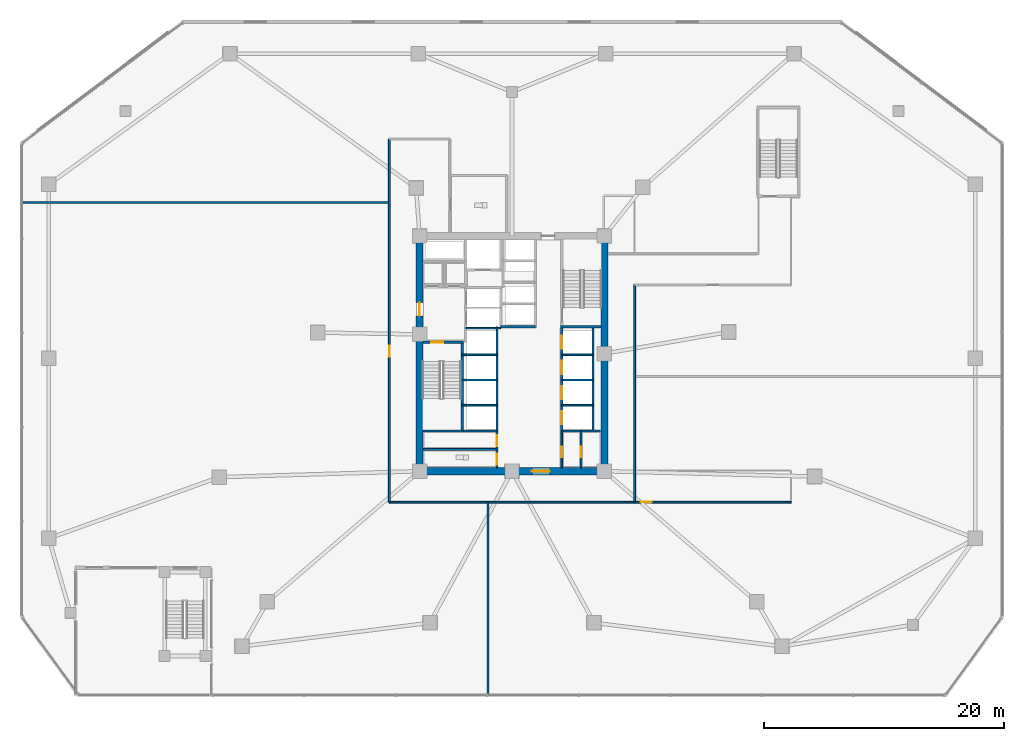
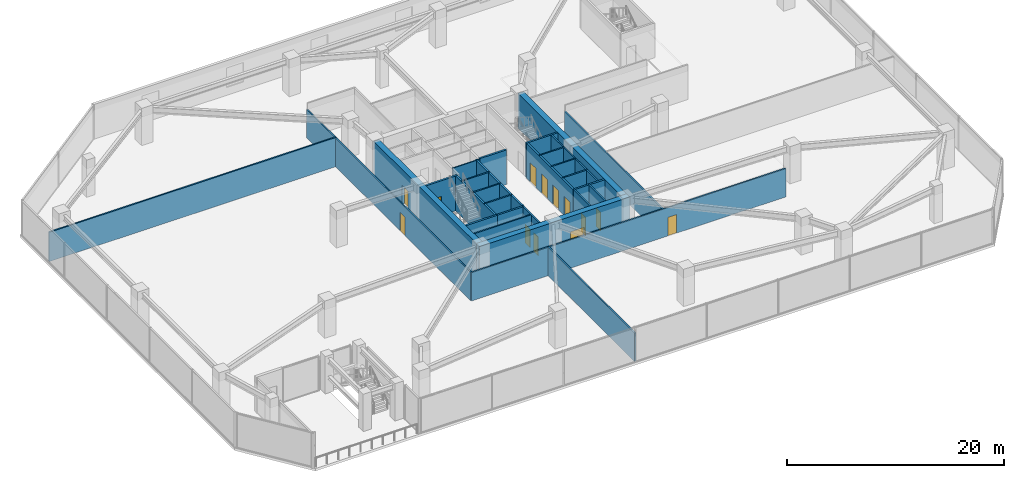
# One storey, part 11 of 21: 29 walls, 13 doors, 13 openings.
"""IFC4 building model written with IfcOpenShell, lengths in metres."""

import ifcopenshell
import ifcopenshell.guid

model = None  # the IFC model being written
_history = None  # IfcOwnerHistory: only IFC2X3 demands one
_inside = {}  # id of a spatial element -> (the spatial element, [elements in it])
_under = {}  # id of a project, library or spatial element -> (it, [spatial elements below it])
_declared = {}  # id of a project -> (the project, [libraries it declares])
_typed = {}  # id of a type object -> (the type object, [elements of that type])
_made_of = {}  # id of a material, layer set ... -> (it, [elements and type objects made of it])


def new_model(schema):
    """Start an empty IFC model of exactly this schema.

    Asked for "IFC4X3", IfcOpenShell would pick the latest addendum, in which some entities
    have other attributes; the version numbers below select the first issue.
    IFC2X3 requires an IfcOwnerHistory on every rooted entity: one is made here for all.
    """
    global model, _history
    if schema == "IFC4X3":
        model = ifcopenshell.file(schema_version=(4, 3, 0, 0))
    else:
        model = ifcopenshell.file(schema=schema)
    _inside.clear()
    _under.clear()
    _declared.clear()
    _typed.clear()
    _made_of.clear()
    _history = None
    if model.schema == "IFC2X3":
        org = make("IfcOrganization", Name="unknown")
        user = make(
            "IfcPersonAndOrganization",
            ThePerson=make("IfcPerson", FamilyName="unknown"),
            TheOrganization=org,
        )
        app = make(
            "IfcApplication",
            ApplicationDeveloper=org,
            Version="unknown",
            ApplicationFullName="unknown",
            ApplicationIdentifier="unknown",
        )
        _history = make(
            "IfcOwnerHistory",
            OwningUser=user,
            OwningApplication=app,
            ChangeAction="ADDED",
            CreationDate=0,
        )
    return model


def make(cls, **values):
    """One entity of the class cls with the attributes given. An attribute that is None is left unset."""
    return model.create_entity(
        cls, **{name: value for name, value in values.items() if value is not None}
    )


def rooted(cls, **values):
    """An entity with a GlobalId (a new one), such as an element, a storey or a relation."""
    return make(cls, GlobalId=ifcopenshell.guid.new(), OwnerHistory=_history, **values)


def si_unit(unit_type, name, prefix=None):
    """IfcSIUnit, for example si_unit("LENGTHUNIT", "METRE", prefix="MILLI")."""
    return make("IfcSIUnit", UnitType=unit_type, Prefix=prefix, Name=name)


def assignment(units):
    """IfcUnitAssignment: the units of a project."""
    return None if units is None else make("IfcUnitAssignment", Units=units)


def point(xyz):
    """IfcCartesianPoint."""
    return None if xyz is None else make("IfcCartesianPoint", Coordinates=xyz)


def direction(xyz):
    """IfcDirection."""
    return None if xyz is None else make("IfcDirection", DirectionRatios=xyz)


def frame(location, z_axis=None, x_axis=None):
    """IfcAxis2Placement3D, a coordinate frame: its origin and axes. An axis left out is left unset."""
    return make(
        "IfcAxis2Placement3D",
        Location=point(location),
        Axis=direction(z_axis),
        RefDirection=direction(x_axis),
    )


def frame_2d(location, x_axis=None):
    """IfcAxis2Placement2D, a coordinate frame in the plane: its origin and x axis."""
    return make(
        "IfcAxis2Placement2D", Location=point(location), RefDirection=direction(x_axis)
    )


def origin():
    """The frame at (0, 0, 0) with its axes left unset."""
    return frame((0.0, 0.0, 0.0))


def place(relative_to, where):
    """IfcLocalPlacement: puts the frame where relative to a parent placement (None: the world)."""
    return make(
        "IfcLocalPlacement", PlacementRelTo=relative_to, RelativePlacement=where
    )


def context(
    kind, dimensions, precision=None, world=None, true_north=None, identifier=None
):
    """IfcGeometricRepresentationContext, for example the 3D "Model" context."""
    return make(
        "IfcGeometricRepresentationContext",
        ContextIdentifier=identifier,
        ContextType=kind,
        CoordinateSpaceDimension=dimensions,
        Precision=precision,
        WorldCoordinateSystem=world,
        TrueNorth=true_north,
    )


def subcontext(parent, identifier, kind, view, scale=None):
    """IfcGeometricRepresentationSubContext, for example "Body" below "Model"."""
    return make(
        "IfcGeometricRepresentationSubContext",
        ContextIdentifier=identifier,
        ContextType=kind,
        ParentContext=parent,
        TargetScale=scale,
        TargetView=view,
    )


def project(units=None, contexts=None):
    """IfcProject with its units and contexts."""
    return rooted(
        "IfcProject",
        Name="project",
        RepresentationContexts=contexts,
        UnitsInContext=assignment(units),
    )


def spatial(cls, under=None, at=None, **own):
    """A site, building, storey or space (cls), placed at a placement, below another one or the project."""
    s = rooted(cls, ObjectPlacement=at, **own)
    if under is not None:
        _under.setdefault(under.id(), (under, []))[1].append(s)
    return s


def profile(cls, at=None, kind="AREA", **sizes):
    """A parametric profile (cls). Its sizes go by their IFC names, for example OverallWidth=200.0."""
    return make(cls, ProfileType=kind, Position=at, **sizes)


def rectangle(**sizes):
    """IfcRectangleProfileDef."""
    return profile("IfcRectangleProfileDef", **sizes)


def extrude(swept, where, along, depth):
    """IfcExtrudedAreaSolid: the profile swept, set in the frame where, extruded along a direction by depth."""
    return make(
        "IfcExtrudedAreaSolid",
        SweptArea=swept,
        Position=where,
        ExtrudedDirection=direction(along),
        Depth=depth,
    )


def shape(context_of_items, identifier, shape_type, items):
    """IfcShapeRepresentation: the items that make up one representation, for example the "Body"."""
    return make(
        "IfcShapeRepresentation",
        ContextOfItems=context_of_items,
        RepresentationIdentifier=identifier,
        RepresentationType=shape_type,
        Items=items,
    )


def material(Name=None, Category=None):
    """IfcMaterial."""
    return make("IfcMaterial", Name=Name, Category=Category)


def layer(
    of_material, thickness, ventilated=None, Name=None, Category=None, Priority=None
):
    """IfcMaterialLayer: one layer of a wall or slab, of a material (None: an air gap)."""
    return make(
        "IfcMaterialLayer",
        Material=of_material,
        LayerThickness=thickness,
        IsVentilated=ventilated,
        Name=Name,
        Category=Category,
        Priority=Priority,
    )


def layer_set(layers, Name=None):
    """IfcMaterialLayerSet."""
    return make("IfcMaterialLayerSet", MaterialLayers=layers, LayerSetName=Name)


def made_of(thing, what):
    """Note that an element or type object is made of a material, layer set ...; save() writes the relation."""
    if what is not None:
        _made_of.setdefault(what.id(), (what, []))[1].append(thing)
    return thing


def type_object(cls, material=None, **own):
    """A type object (cls), such as IfcWallType, which elements share."""
    return made_of(rooted(cls, **own), material)


def element(
    cls,
    number,
    at=None,
    inside=None,
    cuts=None,
    type_object=None,
    material=None,
    context=None,
    identifier="Body",
    shape_type=None,
    held_by="IfcProductDefinitionShape",
    body=None,
    shapes=None,
    **own,
):
    """One element of the class cls, such as IfcWall. Its Tag is "e" and its number.

    at: its placement. inside: the storey or other place that contains it. cuts: it is an
    opening in that element (IfcRelVoidsElement). A single representation is given by context,
    identifier, shape_type and body (its items); several are given by shapes. held_by: the class
    of the entity that holds the representations. save() writes the other relations.
    """
    e = rooted(cls, Tag="e%d" % number, ObjectPlacement=at, **own)
    if body is not None:
        shapes = [shape(context, identifier, shape_type, body)]
    if shapes is not None:
        e.Representation = make(held_by, Representations=shapes)
    if inside is not None:
        _inside.setdefault(inside.id(), (inside, []))[1].append(e)
    if cuts is not None:
        rooted(
            "IfcRelVoidsElement", RelatingBuildingElement=cuts, RelatedOpeningElement=e
        )
    if type_object is not None:
        _typed.setdefault(type_object.id(), (type_object, []))[1].append(e)
    return made_of(e, material)


def fill(opening, filler):
    """IfcRelFillsElement: the door or window that sits in an opening."""
    return rooted(
        "IfcRelFillsElement",
        RelatingOpeningElement=opening,
        RelatedBuildingElement=filler,
    )


def aggregate(whole, parts):
    """IfcRelAggregates: a whole, such as a stair, and the parts it consists of."""
    return rooted("IfcRelAggregates", RelatingObject=whole, RelatedObjects=parts)


def save(model, path):
    """Write the relations noted so far, then the file.

    IfcRelAggregates (storeys below a building ...), IfcRelContainedInSpatialStructure (elements
    in a storey), IfcRelDefinesByType, IfcRelAssociatesMaterial and IfcRelDeclares: one each for
    every whole, place, type object, material and project.
    """
    for whole, parts in _under.values():
        aggregate(whole, parts)
    for where, things in _inside.values():
        rooted(
            "IfcRelContainedInSpatialStructure",
            RelatedElements=things,
            RelatingStructure=where,
        )
    for kind, things in _typed.values():
        rooted("IfcRelDefinesByType", RelatedObjects=things, RelatingType=kind)
    for what, things in _made_of.values():
        rooted("IfcRelAssociatesMaterial", RelatedObjects=things, RelatingMaterial=what)
    for by, libraries in _declared.values():
        rooted("IfcRelDeclares", RelatingContext=by, RelatedDefinitions=libraries)
    model.write(path)


model = new_model("IFC4")

# Units and contexts
model_context = context("Model", 3, precision=1e-05, world=origin(), true_north=direction((0.0, 1.0)))
body_context = subcontext(model_context, "Body", "Model", "MODEL_VIEW")
ifc_project = project(units=[si_unit("LENGTHUNIT", "METRE"), si_unit("AREAUNIT", "SQUARE_METRE"), si_unit("VOLUMEUNIT", "CUBIC_METRE"), si_unit("PLANEANGLEUNIT", "RADIAN"), si_unit("MASSUNIT", "GRAM", prefix="KILO")], contexts=[model_context])

# Site, building, storey
site_placement = place(None, origin())
site = spatial("IfcSite", under=ifc_project, at=site_placement, CompositionType="ELEMENT")
building_placement = place(site_placement, origin())
building = spatial("IfcBuilding", under=site, at=building_placement, Name="Savorim Split Tower", CompositionType="ELEMENT")
storey_placement = place(building_placement, frame((0.0, 0.0, 5.0)))
storey = spatial("IfcBuildingStorey", under=building, at=storey_placement, Name="L01", CompositionType="ELEMENT", Elevation=5.0)

# Wall, opening, door
ifc_material_1 = material(Name="Concrete C60/75", Category="concrete")
ifc_layer_1 = layer(ifc_material_1, 0.60009765625)
ifc_layer_set_1 = layer_set([ifc_layer_1], Name="WAL-COR-SH600")
wall_type_1 = type_object("IfcWallType", Name="WAL-COR-SH600", PredefinedType="SHEAR", material=ifc_layer_set_1)
wall_1_placement = place(storey_placement, frame((-8.0, -9.39990234375, 0.0), z_axis=(0.0, 0.0, 1.0), x_axis=(1.0, 0.0, 0.0)))
wall_1 = element("IfcWall", 1, at=wall_1_placement, inside=storey, type_object=wall_type_1, Name="L01 Offset Core South Shear Wall", PredefinedType="SHEAR", context=body_context, shape_type="SweptSolid", body=[
    extrude(rectangle(XDim=16.0, YDim=0.60009765625, at=frame_2d((8.0, 0.0))), origin(), (0.0, 0.0, 1.0), 3.919921875),
])
opening_1_placement = place(wall_1_placement, frame((9.64990234375, 0.0, 0.0)))
opening_1 = element("IfcOpeningElement", 2, at=opening_1_placement, cuts=wall_1, Name="Opening DI-02", PredefinedType="OPENING", context=body_context, shape_type="SweptSolid", body=[
    extrude(rectangle(XDim=1.5, YDim=2.199951171875, at=frame_2d((0.75, 1.10009765625))), frame((0.0, 0.31005859375, 0.0), z_axis=(0.0, -1.0, 0.0), x_axis=(1.0, 0.0, 0.0)), (0.0, 0.0, 1.0), 0.6201171875),
])
ifc_material_2 = material(Name="Timber Fire Door Leaf", Category="wood")
door_type_1 = type_object("IfcDoorType", Name="DOR-DBL-1500", OperationType="NOTDEFINED", PredefinedType="DOOR", material=ifc_material_2)
door_1_placement = place(opening_1_placement, origin())
door_1 = element("IfcDoor", 3, at=door_1_placement, inside=storey, type_object=door_type_1, Name="DOR-L01-COR-LLOB - L01 Lift Lobby Main Rated Door", OperationType="DOUBLE_DOOR_SINGLE_SWING", OverallHeight=2.199951171875, OverallWidth=1.5, PredefinedType="DOOR", context=body_context, shape_type="SweptSolid", body=[
    extrude(rectangle(XDim=1.5, YDim=2.199951171875, at=frame_2d((0.75, 1.10009765625))), frame((0.0, 0.02490234375, 0.0), z_axis=(0.0, -1.0, 0.0), x_axis=(1.0, 0.0, 0.0)), (0.0, 0.0, 1.0), 0.050048828125),
])
fill(opening_1, door_1)

wall_2_placement = place(storey_placement, frame((-7.699951171875, -9.10009765625, 0.0), z_axis=(0.0, 0.0, 1.0), x_axis=(0.0, 1.0, 0.0)))
wall_2 = element("IfcWall", 4, at=wall_2_placement, inside=storey, type_object=wall_type_1, Name="L01 Offset Core West Shear Wall", PredefinedType="SHEAR", context=body_context, shape_type="SweptSolid", body=[
    extrude(rectangle(XDim=19.0, YDim=0.60009765625, at=frame_2d((9.5, 0.0))), origin(), (0.0, 0.0, 1.0), 3.919921875),
])
opening_2_placement = place(wall_2_placement, frame((12.64990234375, 0.0, 0.0)))
opening_2 = element("IfcOpeningElement", 5, at=opening_2_placement, cuts=wall_2, Name="Opening DI-03", PredefinedType="OPENING", context=body_context, shape_type="SweptSolid", body=[
    extrude(rectangle(XDim=1.10009765625, YDim=2.14990234375, at=frame_2d((0.550048828125, 1.074951171875))), frame((0.0, 0.31005859375, 0.0), z_axis=(0.0, -1.0, 0.0), x_axis=(1.0, 0.0, 0.0)), (0.0, 0.0, 1.0), 0.6201171875),
])
door_type_2 = type_object("IfcDoorType", Name="DOR-FIR-1100", OperationType="NOTDEFINED", PredefinedType="DOOR", material=ifc_material_2)
door_2_placement = place(opening_2_placement, origin())
door_2 = element("IfcDoor", 6, at=door_2_placement, inside=storey, type_object=door_type_2, Name="DOR-L01-COR-FFLOB - L01 Firefighting Lobby Corridor Door", OperationType="SINGLE_SWING_LEFT", OverallHeight=2.14990234375, OverallWidth=1.10009765625, PredefinedType="DOOR", context=body_context, shape_type="SweptSolid", body=[
    extrude(rectangle(XDim=1.10009765625, YDim=2.14990234375, at=frame_2d((0.550048828125, 1.074951171875))), frame((0.0, 0.02490234375, 0.0), z_axis=(0.0, -1.0, 0.0), x_axis=(1.0, 0.0, 0.0)), (0.0, 0.0, 1.0), 0.050048828125),
])
fill(opening_2, door_2)

# Wall
wall_3_placement = place(storey_placement, frame((7.699951171875, 9.89990234375, 0.0), z_axis=(0.0, 0.0, 1.0), x_axis=(0.0, -1.0, 0.0)))
element("IfcWall", 7, at=wall_3_placement, inside=storey, type_object=wall_type_1, Name="L01 Offset Core East Shear Wall", PredefinedType="SHEAR", context=body_context, shape_type="SweptSolid", body=[
    extrude(rectangle(XDim=19.0, YDim=0.60009765625, at=frame_2d((9.5, 0.0))), origin(), (0.0, 0.0, 1.0), 3.919921875),
])

# Wall, opening, door
ifc_material_3 = material(Name="Concrete C50/60", Category="concrete")
ifc_layer_2 = layer(ifc_material_3, 0.199951171875)
ifc_layer_set_2 = layer_set([ifc_layer_2], Name="WAL-INT-RC200")
wall_type_2 = type_object("IfcWallType", Name="WAL-INT-RC200", PredefinedType="SOLIDWALL", material=ifc_layer_set_2)
wall_4_placement = place(storey_placement, frame((-7.39990234375, 1.35009765625, 0.0), z_axis=(0.0, 0.0, 1.0), x_axis=(1.0, 0.0, 0.0)))
wall_4 = element("IfcWall", 8, at=wall_4_placement, inside=storey, type_object=wall_type_2, Name="L01 Structural Shaft Wall W-L01-CR01", PredefinedType="SOLIDWALL", context=body_context, shape_type="SweptSolid", body=[
    extrude(rectangle(XDim=3.349853515625, YDim=0.199951171875, at=frame_2d((1.6748046875, 0.0))), origin(), (0.0, 0.0, 1.0), 3.919921875),
])
opening_3_placement = place(wall_4_placement, frame((0.64990234375, 0.0, 0.0)))
opening_3 = element("IfcOpeningElement", 9, at=opening_3_placement, cuts=wall_4, Name="Opening DI-04", PredefinedType="OPENING", context=body_context, shape_type="SweptSolid", body=[
    extrude(rectangle(XDim=1.0, YDim=2.14990234375, at=frame_2d((0.5, 1.074951171875))), frame((0.0, 0.10986328125, 0.0), z_axis=(0.0, -1.0, 0.0), x_axis=(1.0, 0.0, 0.0)), (0.0, 0.0, 1.0), 0.219970703125),
])
door_type_3 = type_object("IfcDoorType", Name="DOR-FIR-1000", OperationType="NOTDEFINED", PredefinedType="DOOR", material=ifc_material_2)
door_3_placement = place(opening_3_placement, origin())
door_3 = element("IfcDoor", 10, at=door_3_placement, inside=storey, type_object=door_type_3, Name="DR-L01-ST1 - L01 Stair ST-1 Enclosure Door", OperationType="SINGLE_SWING_LEFT", OverallHeight=2.14990234375, OverallWidth=1.0, PredefinedType="DOOR", context=body_context, shape_type="SweptSolid", body=[
    extrude(rectangle(XDim=1.0, YDim=2.14990234375, at=frame_2d((0.5, 1.074951171875))), frame((0.0, 0.02490234375, 0.0), z_axis=(0.0, -1.0, 0.0), x_axis=(1.0, 0.0, 0.0)), (0.0, 0.0, 1.0), 0.050048828125),
])
fill(opening_3, door_3)

# Walls
wall_5_placement = place(storey_placement, frame((-4.14990234375, -5.949951171875, 0.0), z_axis=(0.0, 0.0, 1.0), x_axis=(0.0, 1.0, 0.0)))
element("IfcWall", 11, at=wall_5_placement, inside=storey, type_object=wall_type_2, Name="L01 Structural Shaft Wall W-L01-CR02", PredefinedType="SOLIDWALL", context=body_context, shape_type="SweptSolid", body=[
    extrude(rectangle(XDim=7.199951171875, YDim=0.199951171875, at=frame_2d((3.60009765625, 0.0))), origin(), (0.0, 0.0, 1.0), 3.919921875),
])
wall_6_placement = place(storey_placement, frame((4.050048828125, 2.64990234375, 0.0), z_axis=(0.0, 0.0, 1.0), x_axis=(1.0, 0.0, 0.0)))
element("IfcWall", 12, at=wall_6_placement, inside=storey, type_object=wall_type_2, Name="L01 Structural Shaft Wall W-L01-CR08", PredefinedType="SOLIDWALL", context=body_context, shape_type="SweptSolid", body=[
    extrude(rectangle(XDim=3.349853515625, YDim=0.199951171875, at=frame_2d((1.6748046875, 0.0))), origin(), (0.0, 0.0, 1.0), 3.919921875),
])

# Wall, openings, doors
wall_7_placement = place(storey_placement, frame((4.14990234375, -6.050048828125, 0.0), z_axis=(0.0, 0.0, 1.0), x_axis=(0.0, 1.0, 0.0)))
wall_7 = element("IfcWall", 13, at=wall_7_placement, inside=storey, type_object=wall_type_2, Name="L01 Partition W-L01-B1FRONT", PredefinedType="SOLIDWALL", context=body_context, shape_type="SweptSolid", body=[
    extrude(rectangle(XDim=8.699951171875, YDim=0.199951171875, at=frame_2d((4.35009765625, 0.0))), origin(), (0.0, 0.0, 1.0), 3.919921875),
])
opening_4_placement = place(wall_7_placement, frame((0.550048828125, 0.0, 0.0)))
opening_4 = element("IfcOpeningElement", 14, at=opening_4_placement, cuts=wall_7, Name="Opening LD-01", PredefinedType="OPENING", context=body_context, shape_type="SweptSolid", body=[
    extrude(rectangle(XDim=1.10009765625, YDim=2.14990234375, at=frame_2d((0.550048828125, 1.074951171875))), frame((0.0, 0.10986328125, 0.0), z_axis=(0.0, -1.0, 0.0), x_axis=(1.0, 0.0, 0.0)), (0.0, 0.0, 1.0), 0.219970703125),
])
opening_5_placement = place(wall_7_placement, frame((2.64990234375, 0.0, 0.0)))
opening_5 = element("IfcOpeningElement", 15, at=opening_5_placement, cuts=wall_7, Name="Opening LD-01", PredefinedType="OPENING", context=body_context, shape_type="SweptSolid", body=[
    extrude(rectangle(XDim=1.10009765625, YDim=2.14990234375, at=frame_2d((0.550048828125, 1.074951171875))), frame((0.0, 0.10986328125, 0.0), z_axis=(0.0, -1.0, 0.0), x_axis=(1.0, 0.0, 0.0)), (0.0, 0.0, 1.0), 0.219970703125),
])
opening_6_placement = place(wall_7_placement, frame((4.75, 0.0, 0.0)))
opening_6 = element("IfcOpeningElement", 16, at=opening_6_placement, cuts=wall_7, Name="Opening LD-01", PredefinedType="OPENING", context=body_context, shape_type="SweptSolid", body=[
    extrude(rectangle(XDim=1.10009765625, YDim=2.14990234375, at=frame_2d((0.550048828125, 1.074951171875))), frame((0.0, 0.10986328125, 0.0), z_axis=(0.0, -1.0, 0.0), x_axis=(1.0, 0.0, 0.0)), (0.0, 0.0, 1.0), 0.219970703125),
])
opening_7_placement = place(wall_7_placement, frame((6.85009765625, 0.0, 0.0)))
opening_7 = element("IfcOpeningElement", 17, at=opening_7_placement, cuts=wall_7, Name="Opening LD-01", PredefinedType="OPENING", context=body_context, shape_type="SweptSolid", body=[
    extrude(rectangle(XDim=1.10009765625, YDim=2.14990234375, at=frame_2d((0.550048828125, 1.074951171875))), frame((0.0, 0.10986328125, 0.0), z_axis=(0.0, -1.0, 0.0), x_axis=(1.0, 0.0, 0.0)), (0.0, 0.0, 1.0), 0.219970703125),
])
ifc_material_4 = material(Name="Charcoal Anodised Aluminium", Category="aluminium")
door_type_4 = type_object("IfcDoorType", Name="DOR-SLD-LD1100", OperationType="NOTDEFINED", PredefinedType="DOOR", material=ifc_material_4)
door_4_placement = place(opening_4_placement, origin())
door_4 = element("IfcDoor", 18, at=door_4_placement, inside=storey, type_object=door_type_4, Name="DR-L01-LD-PLL1 - L01 Lift PL-L1 Sliding Landing Door", OperationType="DOUBLE_DOOR_SLIDING", OverallHeight=2.14990234375, OverallWidth=1.10009765625, PredefinedType="DOOR", context=body_context, shape_type="SweptSolid", body=[
    extrude(rectangle(XDim=1.10009765625, YDim=2.14990234375, at=frame_2d((0.550048828125, 1.074951171875))), frame((0.0, 0.02490234375, 0.0), z_axis=(0.0, -1.0, 0.0), x_axis=(1.0, 0.0, 0.0)), (0.0, 0.0, 1.0), 0.050048828125),
])
fill(opening_4, door_4)
door_5_placement = place(opening_5_placement, origin())
door_5 = element("IfcDoor", 19, at=door_5_placement, inside=storey, type_object=door_type_4, Name="DR-L01-LD-PLL2 - L01 Lift PL-L2 Sliding Landing Door", OperationType="DOUBLE_DOOR_SLIDING", OverallHeight=2.14990234375, OverallWidth=1.10009765625, PredefinedType="DOOR", context=body_context, shape_type="SweptSolid", body=[
    extrude(rectangle(XDim=1.10009765625, YDim=2.14990234375, at=frame_2d((0.550048828125, 1.074951171875))), frame((0.0, 0.02490234375, 0.0), z_axis=(0.0, -1.0, 0.0), x_axis=(1.0, 0.0, 0.0)), (0.0, 0.0, 1.0), 0.050048828125),
])
fill(opening_5, door_5)
door_6_placement = place(opening_6_placement, origin())
door_6 = element("IfcDoor", 20, at=door_6_placement, inside=storey, type_object=door_type_4, Name="DR-L01-LD-PLL3 - L01 Lift PL-L3 Sliding Landing Door", OperationType="DOUBLE_DOOR_SLIDING", OverallHeight=2.14990234375, OverallWidth=1.10009765625, PredefinedType="DOOR", context=body_context, shape_type="SweptSolid", body=[
    extrude(rectangle(XDim=1.10009765625, YDim=2.14990234375, at=frame_2d((0.550048828125, 1.074951171875))), frame((0.0, 0.02490234375, 0.0), z_axis=(0.0, -1.0, 0.0), x_axis=(1.0, 0.0, 0.0)), (0.0, 0.0, 1.0), 0.050048828125),
])
fill(opening_6, door_6)
door_7_placement = place(opening_7_placement, origin())
door_7 = element("IfcDoor", 21, at=door_7_placement, inside=storey, type_object=door_type_4, Name="DR-L01-LD-PLL4 - L01 Lift PL-L4 Sliding Landing Door", OperationType="DOUBLE_DOOR_SLIDING", OverallHeight=2.14990234375, OverallWidth=1.10009765625, PredefinedType="DOOR", context=body_context, shape_type="SweptSolid", body=[
    extrude(rectangle(XDim=1.10009765625, YDim=2.14990234375, at=frame_2d((0.550048828125, 1.074951171875))), frame((0.0, 0.02490234375, 0.0), z_axis=(0.0, -1.0, 0.0), x_axis=(1.0, 0.0, 0.0)), (0.0, 0.0, 1.0), 0.050048828125),
])
fill(opening_7, door_7)

# Walls
wall_8_placement = place(storey_placement, frame((-1.25, -6.050048828125, 0.0), z_axis=(0.0, 0.0, 1.0), x_axis=(0.0, 1.0, 0.0)))
element("IfcWall", 22, at=wall_8_placement, inside=storey, type_object=wall_type_2, Name="L01 Partition W-L01-B2FRONT", PredefinedType="SOLIDWALL", context=body_context, shape_type="SweptSolid", body=[
    extrude(rectangle(XDim=8.699951171875, YDim=0.199951171875, at=frame_2d((4.35009765625, 0.0))), origin(), (0.0, 0.0, 1.0), 3.919921875),
])
wall_9_placement = place(storey_placement, frame((-0.949951171875, 2.64990234375, 0.0), z_axis=(0.0, 0.0, 1.0), x_axis=(1.0, 0.0, 0.0)))
element("IfcWall", 23, at=wall_9_placement, inside=storey, type_object=wall_type_2, Name="L01 Partition W-L01-B3SOUTH", PredefinedType="SOLIDWALL", context=body_context, shape_type="SweptSolid", body=[
    extrude(rectangle(XDim=2.89990234375, YDim=0.199951171875, at=frame_2d((1.449951171875, 0.0))), origin(), (0.0, 0.0, 1.0), 3.919921875),
])
wall_10_placement = place(storey_placement, frame((-7.39990234375, -6.050048828125, 0.0), z_axis=(0.0, 0.0, 1.0), x_axis=(1.0, 0.0, 0.0)))
element("IfcWall", 24, at=wall_10_placement, inside=storey, type_object=wall_type_2, Name="L01 Structural Shaft Wall W-L01-KSEP-W", PredefinedType="SOLIDWALL", context=body_context, shape_type="SweptSolid", body=[
    extrude(rectangle(XDim=3.349853515625, YDim=0.199951171875, at=frame_2d((1.6748046875, 0.0))), origin(), (0.0, 0.0, 1.0), 3.919921875),
])
wall_11_placement = place(storey_placement, frame((-4.0400390625, -6.050048828125, 0.0), z_axis=(0.0, 0.0, 1.0), x_axis=(1.0, 0.0, 0.0)))
element("IfcWall", 25, at=wall_11_placement, inside=storey, type_object=wall_type_2, Name="L01 Partition W-L01-KSEP-W2", PredefinedType="SOLIDWALL", context=body_context, shape_type="SweptSolid", body=[
    extrude(rectangle(XDim=2.7900390625, YDim=0.199951171875, at=frame_2d((1.39501953125, 0.0))), origin(), (0.0, 0.0, 1.0), 3.919921875),
])
wall_12_placement = place(storey_placement, frame((4.14990234375, -6.050048828125, 0.0), z_axis=(0.0, 0.0, 1.0), x_axis=(1.0, 0.0, 0.0)))
element("IfcWall", 26, at=wall_12_placement, inside=storey, type_object=wall_type_2, Name="L01 Partition W-L01-KSEP-E", PredefinedType="SOLIDWALL", context=body_context, shape_type="SweptSolid", body=[
    extrude(rectangle(XDim=3.2451171875, YDim=0.199951171875, at=frame_2d((1.62255859375, 0.0))), origin(), (0.0, 0.0, 1.0), 3.919921875),
])
ifc_material_5 = material(Name="Acoustic Gypsum Partition Board")
ifc_layer_3 = layer(ifc_material_5, 0.1201171875)
ifc_layer_set_3 = layer_set([ifc_layer_3], Name="WAL-PAR-120")
wall_type_3 = type_object("IfcWallType", Name="WAL-PAR-120", PredefinedType="PARTITIONING", material=ifc_layer_set_3)
wall_13_placement = place(storey_placement, frame((-3.85009765625, 2.52001953125, 0.0), z_axis=(0.0, 0.0, 1.0), x_axis=(1.0, 0.0, 0.0)))
element("IfcWall", 27, at=wall_13_placement, inside=storey, type_object=wall_type_3, Name="L01 Partition W-L01-FFLD0", PredefinedType="PARTITIONING", context=body_context, shape_type="SweptSolid", body=[
    extrude(rectangle(XDim=2.900146484375, YDim=0.1201171875, at=frame_2d((1.4501953125, 0.0))), origin(), (0.0, 0.0, 1.0), 3.919921875),
])
ifc_layer_4 = layer(ifc_material_5, 0.14990234375)
ifc_layer_set_4 = layer_set([ifc_layer_4], Name="WAL-PAR-150")
wall_type_4 = type_object("IfcWallType", Name="WAL-PAR-150", PredefinedType="PARTITIONING", material=ifc_layer_set_4)
wall_14_placement = place(storey_placement, frame((6.75, -6.050048828125, 0.0), z_axis=(0.0, 0.0, 1.0), x_axis=(0.0, 1.0, 0.0)))
element("IfcWall", 28, at=wall_14_placement, inside=storey, type_object=wall_type_4, Name="L01 Partition W-L01-B1BACK", PredefinedType="PARTITIONING", context=body_context, shape_type="SweptSolid", body=[
    extrude(rectangle(XDim=8.699951171875, YDim=0.14990234375, at=frame_2d((4.35009765625, 0.0))), origin(), (0.0, 0.0, 1.0), 3.919921875),
])
for number, where, z_axis, x_axis, name in (
    (29, (4.14990234375, -3.89990234375, 0.0), (0.0, 0.0, 1.0), (1.0, 0.0, 0.0), "L01 Partition W-L01-B1DIV1"),
    (30, (4.14990234375, -1.800048828125, 0.0), (0.0, 0.0, 1.0), (1.0, 0.0, 0.0), "L01 Partition W-L01-B1DIV2"),
    (31, (4.14990234375, 0.300048828125, 0.0), (0.0, 0.0, 1.0), (1.0, 0.0, 0.0), "L01 Partition W-L01-B1DIV3"),
):
    element("IfcWall", number, at=place(storey_placement, frame(where, z_axis=z_axis, x_axis=x_axis)), inside=storey, type_object=wall_type_4, Name=name, PredefinedType="PARTITIONING", context=body_context, shape_type="SweptSolid", body=[
        extrude(rectangle(XDim=2.60009765625, YDim=0.14990234375, at=frame_2d((1.300048828125, 0.0))), origin(), (0.0, 0.0, 1.0), 3.919921875),
    ])
for number, where, z_axis, x_axis, name in (
    (32, (-4.14990234375, -3.89990234375, 0.0), (0.0, 0.0, 1.0), (1.0, 0.0, 0.0), "L01 Partition W-L01-B2DIV1"),
    (33, (-4.14990234375, -1.800048828125, 0.0), (0.0, 0.0, 1.0), (1.0, 0.0, 0.0), "L01 Partition W-L01-B2DIV2"),
    (34, (-4.14990234375, 0.300048828125, 0.0), (0.0, 0.0, 1.0), (1.0, 0.0, 0.0), "L01 Partition W-L01-B2DIV3"),
):
    element("IfcWall", number, at=place(storey_placement, frame(where, z_axis=z_axis, x_axis=x_axis)), inside=storey, type_object=wall_type_4, Name=name, PredefinedType="PARTITIONING", context=body_context, shape_type="SweptSolid", body=[
        extrude(rectangle(XDim=2.89990234375, YDim=0.14990234375, at=frame_2d((1.449951171875, 0.0))), origin(), (0.0, 0.0, 1.0), 3.919921875),
    ])

# Wall, openings, doors
wall_15_placement = place(storey_placement, frame((-1.25, -9.094970703125, 0.0), z_axis=(0.0, 0.0, 1.0), x_axis=(0.0, 1.0, 0.0)))
wall_15 = element("IfcWall", 35, at=wall_15_placement, inside=storey, type_object=wall_type_4, Name="L01 Partition W-L01-KLOB-W", PredefinedType="PARTITIONING", context=body_context, shape_type="SweptSolid", body=[
    extrude(rectangle(XDim=3.044921875, YDim=0.14990234375, at=frame_2d((1.5224609375, 0.0))), origin(), (0.0, 0.0, 1.0), 3.919921875),
])
opening_8_placement = place(wall_15_placement, frame((1.794921875, 0.0, 0.0)))
opening_8 = element("IfcOpeningElement", 36, at=opening_8_placement, cuts=wall_15, Name="Opening DI-06", PredefinedType="OPENING", context=body_context, shape_type="SweptSolid", body=[
    extrude(rectangle(XDim=0.89990234375, YDim=2.10009765625, at=frame_2d((0.449951171875, 1.050048828125))), frame((0.0, 0.0849609375, 0.0), z_axis=(0.0, -1.0, 0.0), x_axis=(1.0, 0.0, 0.0)), (0.0, 0.0, 1.0), 0.169921875),
])
opening_9_placement = place(wall_15_placement, frame((0.2451171875, 0.0, 0.0)))
opening_9 = element("IfcOpeningElement", 37, at=opening_9_placement, cuts=wall_15, Name="Opening DI-11", PredefinedType="OPENING", context=body_context, shape_type="SweptSolid", body=[
    extrude(rectangle(XDim=0.89990234375, YDim=2.10009765625, at=frame_2d((0.449951171875, 1.050048828125))), frame((0.0, 0.0849609375, 0.0), z_axis=(0.0, -1.0, 0.0), x_axis=(1.0, 0.0, 0.0)), (0.0, 0.0, 1.0), 0.169921875),
])
door_type_5 = type_object("IfcDoorType", Name="DOR-FIR-900", OperationType="NOTDEFINED", PredefinedType="DOOR", material=ifc_material_2)
door_8_placement = place(opening_8_placement, origin())
door_8 = element("IfcDoor", 38, at=door_8_placement, inside=storey, type_object=door_type_5, Name="DR-L01-K2CLN - L01 Cleaning Store Door", OperationType="SINGLE_SWING_LEFT", OverallHeight=2.10009765625, OverallWidth=0.89990234375, PredefinedType="DOOR", context=body_context, shape_type="SweptSolid", body=[
    extrude(rectangle(XDim=0.89990234375, YDim=2.10009765625, at=frame_2d((0.449951171875, 1.050048828125))), frame((0.0, 0.02490234375, 0.0), z_axis=(0.0, -1.0, 0.0), x_axis=(1.0, 0.0, 0.0)), (0.0, 0.0, 1.0), 0.050048828125),
])
fill(opening_8, door_8)
ifc_material_6 = material(Name="Oak Veneer Acoustic Door")
door_type_6 = type_object("IfcDoorType", Name="DOR-WC-900", OperationType="NOTDEFINED", PredefinedType="DOOR", material=ifc_material_6)
door_9_placement = place(opening_9_placement, origin())
door_9 = element("IfcDoor", 39, at=door_9_placement, inside=storey, type_object=door_type_6, Name="DR-L01-K2WC - L01 Core WC Door", OperationType="SINGLE_SWING_RIGHT", OverallHeight=2.10009765625, OverallWidth=0.89990234375, PredefinedType="DOOR", context=body_context, shape_type="SweptSolid", body=[
    extrude(rectangle(XDim=0.89990234375, YDim=2.10009765625, at=frame_2d((0.449951171875, 1.050048828125))), frame((0.0, 0.02490234375, 0.0), z_axis=(0.0, -1.0, 0.0), x_axis=(1.0, 0.0, 0.0)), (0.0, 0.0, 1.0), 0.050048828125),
])
fill(opening_9, door_9)

# Wall, opening, door
wall_16_placement = place(storey_placement, frame((4.14990234375, -9.094970703125, 0.0), z_axis=(0.0, 0.0, 1.0), x_axis=(0.0, 1.0, 0.0)))
wall_16 = element("IfcWall", 40, at=wall_16_placement, inside=storey, type_object=wall_type_4, Name="L01 Partition W-L01-KLOB-E", PredefinedType="PARTITIONING", context=body_context, shape_type="SweptSolid", body=[
    extrude(rectangle(XDim=3.044921875, YDim=0.14990234375, at=frame_2d((1.5224609375, 0.0))), origin(), (0.0, 0.0, 1.0), 3.919921875),
])
opening_10_placement = place(wall_16_placement, frame((0.844970703125, 0.0, 0.0)))
opening_10 = element("IfcOpeningElement", 41, at=opening_10_placement, cuts=wall_16, Name="Opening DI-06", PredefinedType="OPENING", context=body_context, shape_type="SweptSolid", body=[
    extrude(rectangle(XDim=0.89990234375, YDim=2.10009765625, at=frame_2d((0.449951171875, 1.050048828125))), frame((0.0, 0.0849609375, 0.0), z_axis=(0.0, -1.0, 0.0), x_axis=(1.0, 0.0, 0.0)), (0.0, 0.0, 1.0), 0.169921875),
])
door_10_placement = place(opening_10_placement, origin())
door_10 = element("IfcDoor", 42, at=door_10_placement, inside=storey, type_object=door_type_5, Name="DR-L01-K2PAN - L01 Vending Pantry Door", OperationType="SINGLE_SWING_LEFT", OverallHeight=2.10009765625, OverallWidth=0.89990234375, PredefinedType="DOOR", context=body_context, shape_type="SweptSolid", body=[
    extrude(rectangle(XDim=0.89990234375, YDim=2.10009765625, at=frame_2d((0.449951171875, 1.050048828125))), frame((0.0, 0.02490234375, 0.0), z_axis=(0.0, -1.0, 0.0), x_axis=(1.0, 0.0, 0.0)), (0.0, 0.0, 1.0), 0.050048828125),
])
fill(opening_10, door_10)

# Wall
wall_17_placement = place(storey_placement, frame((-7.39501953125, -7.580078125, 0.0), z_axis=(0.0, 0.0, 1.0), x_axis=(1.0, 0.0, 0.0)))
element("IfcWall", 43, at=wall_17_placement, inside=storey, type_object=wall_type_4, Name="L01 Partition W-L01-K2H", PredefinedType="PARTITIONING", context=body_context, shape_type="SweptSolid", body=[
    extrude(rectangle(XDim=6.14501953125, YDim=0.14990234375, at=frame_2d((3.072509765625, 0.0))), origin(), (0.0, 0.0, 1.0), 3.919921875),
])

# Wall, opening, door
wall_18_placement = place(storey_placement, frame((5.75, -9.094970703125, 0.0), z_axis=(0.0, 0.0, 1.0), x_axis=(0.0, 1.0, 0.0)))
wall_18 = element("IfcWall", 44, at=wall_18_placement, inside=storey, type_object=wall_type_4, Name="L01 Partition W-L01-K2E", PredefinedType="PARTITIONING", context=body_context, shape_type="SweptSolid", body=[
    extrude(rectangle(XDim=3.044921875, YDim=0.14990234375, at=frame_2d((1.5224609375, 0.0))), origin(), (0.0, 0.0, 1.0), 3.919921875),
])
opening_11_placement = place(wall_18_placement, frame((0.844970703125, 0.0, 0.0)))
opening_11 = element("IfcOpeningElement", 45, at=opening_11_placement, cuts=wall_18, Name="Opening DI-06", PredefinedType="OPENING", context=body_context, shape_type="SweptSolid", body=[
    extrude(rectangle(XDim=0.89990234375, YDim=2.10009765625, at=frame_2d((0.449951171875, 1.050048828125))), frame((0.0, 0.0849609375, 0.0), z_axis=(0.0, -1.0, 0.0), x_axis=(1.0, 0.0, 0.0)), (0.0, 0.0, 1.0), 0.169921875),
])
door_11_placement = place(opening_11_placement, origin())
door_11 = element("IfcDoor", 46, at=door_11_placement, inside=storey, type_object=door_type_5, Name="DR-L01-K2REF - L01 Recycling Room Door", OperationType="SINGLE_SWING_RIGHT", OverallHeight=2.10009765625, OverallWidth=0.89990234375, PredefinedType="DOOR", context=body_context, shape_type="SweptSolid", body=[
    extrude(rectangle(XDim=0.89990234375, YDim=2.10009765625, at=frame_2d((0.449951171875, 1.050048828125))), frame((0.0, 0.02490234375, 0.0), z_axis=(0.0, -1.0, 0.0), x_axis=(1.0, 0.0, 0.0)), (0.0, 0.0, 1.0), 0.050048828125),
])
fill(opening_11, door_11)

wall_19_placement = place(storey_placement, frame((-10.219970703125, -11.97998046875, 0.0), z_axis=(0.0, 0.0, 1.0), x_axis=(1.0, 0.0, 0.0)))
wall_19 = element("IfcWall", 47, at=wall_19_placement, inside=storey, type_object=wall_type_4, Name="L01 Partition W-L01-PCS", PredefinedType="PARTITIONING", context=body_context, shape_type="SweptSolid", body=[
    extrude(rectangle(XDim=33.5, YDim=0.14990234375, at=frame_2d((16.75, 0.0))), origin(), (0.0, 0.0, 1.0), 3.195068359375),
])
opening_12_placement = place(wall_19_placement, frame((20.946044921875, 0.0, 0.0)))
opening_12 = element("IfcOpeningElement", 48, at=opening_12_placement, cuts=wall_19, Name="Opening DI-06", PredefinedType="OPENING", context=body_context, shape_type="SweptSolid", body=[
    extrude(rectangle(XDim=0.89990234375, YDim=2.10009765625, at=frame_2d((0.449951171875, 1.050048828125))), frame((0.0, 0.0849609375, 0.0), z_axis=(0.0, -1.0, 0.0), x_axis=(1.0, 0.0, 0.0)), (0.0, 0.0, 1.0), 0.169921875),
])
door_12_placement = place(opening_12_placement, origin())
door_12 = element("IfcDoor", 49, at=door_12_placement, inside=storey, type_object=door_type_5, Name="DR-L01-RM03 - L01 Maker Workshop Entry Door", OperationType="SINGLE_SWING_RIGHT", OverallHeight=2.10009765625, OverallWidth=0.89990234375, PredefinedType="DOOR", context=body_context, shape_type="SweptSolid", body=[
    extrude(rectangle(XDim=0.89990234375, YDim=2.10009765625, at=frame_2d((0.449951171875, 1.050048828125))), frame((0.0, 0.02490234375, 0.0), z_axis=(0.0, -1.0, 0.0), x_axis=(1.0, 0.0, 0.0)), (0.0, 0.0, 1.0), 0.050048828125),
])
fill(opening_12, door_12)

wall_20_placement = place(storey_placement, frame((-10.219970703125, -11.97998046875, 0.0), z_axis=(0.0, 0.0, 1.0), x_axis=(0.0, 1.0, 0.0)))
wall_20 = element("IfcWall", 50, at=wall_20_placement, inside=storey, type_object=wall_type_4, Name="L01 Partition W-L01-PCW", PredefinedType="PARTITIONING", context=body_context, shape_type="SweptSolid", body=[
    extrude(rectangle(XDim=30.260009765625, YDim=0.14990234375, at=frame_2d((15.1298828125, 0.0))), origin(), (0.0, 0.0, 1.0), 3.195068359375),
])
opening_13_placement = place(wall_20_placement, frame((12.1240234375, 0.0, 0.0)))
opening_13 = element("IfcOpeningElement", 51, at=opening_13_placement, cuts=wall_20, Name="Opening DI-06", PredefinedType="OPENING", context=body_context, shape_type="SweptSolid", body=[
    extrude(rectangle(XDim=0.89990234375, YDim=2.10009765625, at=frame_2d((0.449951171875, 1.050048828125))), frame((0.0, 0.0849609375, 0.0), z_axis=(0.0, -1.0, 0.0), x_axis=(1.0, 0.0, 0.0)), (0.0, 0.0, 1.0), 0.169921875),
])
door_13_placement = place(opening_13_placement, origin())
door_13 = element("IfcDoor", 52, at=door_13_placement, inside=storey, type_object=door_type_5, Name="DR-L01-RM02 - L01 Co-Working Commons Entry Door", OperationType="SINGLE_SWING_LEFT", OverallHeight=2.10009765625, OverallWidth=0.89990234375, PredefinedType="DOOR", context=body_context, shape_type="SweptSolid", body=[
    extrude(rectangle(XDim=0.89990234375, YDim=2.10009765625, at=frame_2d((0.449951171875, 1.050048828125))), frame((0.0, 0.02490234375, 0.0), z_axis=(0.0, -1.0, 0.0), x_axis=(1.0, 0.0, 0.0)), (0.0, 0.0, 1.0), 0.050048828125),
])
fill(opening_13, door_13)

# Walls
wall_21_placement = place(storey_placement, frame((10.219970703125, -11.97998046875, 0.0), z_axis=(0.0, 0.0, 1.0), x_axis=(0.0, 1.0, 0.0)))
element("IfcWall", 53, at=wall_21_placement, inside=storey, type_object=wall_type_4, Name="L01 Partition W-L01-PCE", PredefinedType="PARTITIONING", context=body_context, shape_type="SweptSolid", body=[
    extrude(rectangle(XDim=18.10009765625, YDim=0.14990234375, at=frame_2d((9.050048828125, 0.0))), origin(), (0.0, 0.0, 1.0), 3.195068359375),
])
wall_22_placement = place(storey_placement, frame((-2.0, -28.02001953125, 0.0), z_axis=(0.0, 0.0, 1.0), x_axis=(0.0, 1.0, 0.0)))
element("IfcWall", 54, at=wall_22_placement, inside=storey, type_object=wall_type_4, Name="L01 Partition W-L01-PD1", PredefinedType="PARTITIONING", context=body_context, shape_type="SweptSolid", body=[
    extrude(rectangle(XDim=16.0400390625, YDim=0.14990234375, at=frame_2d((8.02001953125, 0.0))), origin(), (0.0, 0.0, 1.0), 3.195068359375),
])
wall_23_placement = place(storey_placement, frame((-40.820068359375, 13.0, 0.0), z_axis=(0.0, 0.0, 1.0), x_axis=(1.0, 0.0, 0.0)))
element("IfcWall", 55, at=wall_23_placement, inside=storey, type_object=wall_type_4, Name="L01 Partition W-L01-PD4", PredefinedType="PARTITIONING", context=body_context, shape_type="SweptSolid", body=[
    extrude(rectangle(XDim=30.60009765625, YDim=0.14990234375, at=frame_2d((15.300048828125, 0.0))), origin(), (0.0, 0.0, 1.0), 3.304931640625),
])

save(model, "model.ifc")
